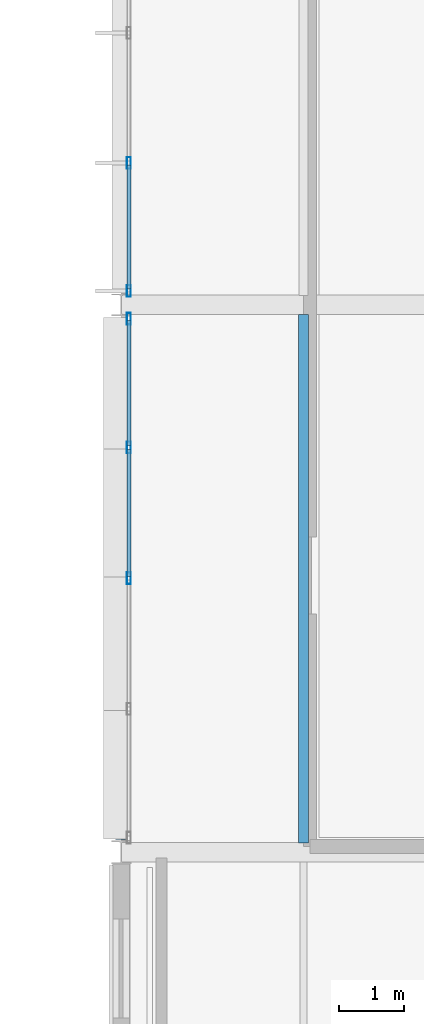
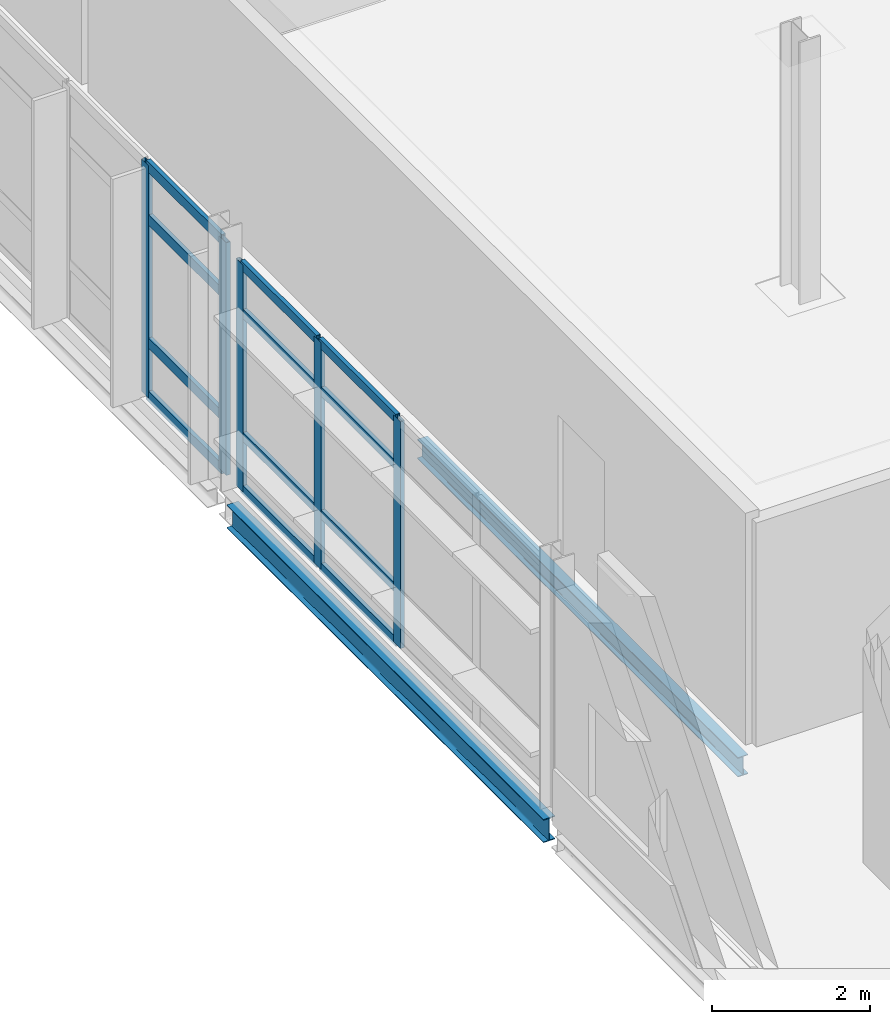
# One storey, part 63 of 131: 17 members, 2 beams, 2 elements without a shape of their own.
"""IFC4 building model written with IfcOpenShell, lengths in metres."""

from ifc_helpers import new_model, si_unit, direction, frame, origin, origin_2d, place, context, subcontext, project, spatial, hollow_rectangle, i_section, extrude, material, material_profile, profile_set, type_object, element, aggregate, save


model = new_model("IFC4")

# Units and contexts
model_context = context("Model", 3, precision=1e-05, world=origin(), true_north=direction((0.0, 1.0)))
body_context = subcontext(model_context, "Body", "Model", "MODEL_VIEW")
ifc_project = project(units=[si_unit("LENGTHUNIT", "METRE"), si_unit("AREAUNIT", "SQUARE_METRE"), si_unit("VOLUMEUNIT", "CUBIC_METRE"), si_unit("PLANEANGLEUNIT", "RADIAN"), si_unit("MASSUNIT", "GRAM", prefix="KILO")], contexts=[model_context])

# Site, building, storey
site_placement = place(None, origin())
site = spatial("IfcSite", under=ifc_project, at=site_placement, CompositionType="ELEMENT")
building_placement = place(site_placement, origin())
building = spatial("IfcBuilding", under=site, at=building_placement, Name="Mersafa Astral City Hall", CompositionType="ELEMENT")
storey_placement = place(building_placement, frame((0.0, 0.0, 13.949951171875)))
storey = spatial("IfcBuildingStorey", under=building, at=storey_placement, Name="L03", CompositionType="ELEMENT", Elevation=13.949951171875)

# Curtain wall, members
ifc_material_1 = material(Name="Anodised bronze aluminium framing", Category="aluminium")
curtain_wall_type_1 = type_object("IfcCurtainWallType", Name="ENV-CW-3", PredefinedType="USERDEFINED", material=ifc_material_1)
curtain_wall_1_placement = place(storey_placement, origin())
curtain_wall_1 = element("IfcCurtainWall", 1, at=curtain_wall_1_placement, inside=storey, type_object=curtain_wall_type_1, Name="L03 Unitised solar curtain wall 182", ObjectType="UNITISED CURTAIN WALL", PredefinedType="USERDEFINED")
ifc_material_profile_1 = material_profile(ifc_material_1, hollow_rectangle(XDim=0.06005859375, YDim=0.179931640625, WallThickness=0.00390625, at=origin_2d()), Name="RHS 60x180x4")
ifc_profile_set_1 = profile_set([ifc_material_profile_1], Name="Anodised bronze aluminium framing")
member_type_1 = type_object("IfcMemberType", Name="ENV-CW-MUL-1", PredefinedType="MULLION", material=ifc_profile_set_1)
member_1_placement = place(storey_placement, frame((100.919921875, 111.377197265625, -0.001953125), z_axis=(0.0, 0.0, 1.0), x_axis=(1.0, 0.0, 0.0)))
member_1 = element("IfcMember", 2, at=member_1_placement, type_object=member_type_1, Name="CW-3 mullion 4", PredefinedType="MULLION", context=body_context, shape_type="SweptSolid", body=[
    extrude(hollow_rectangle(XDim=0.06005859375, YDim=0.179931640625, WallThickness=0.00390625, at=origin_2d()), origin(), (0.0, 0.0, 1.0), 3.593994140625),
])
member_2_placement = place(storey_placement, frame((100.919921875, 109.412109375, -0.001953125), z_axis=(0.0, 0.0, 1.0), x_axis=(1.0, 0.0, 0.0)))
member_2 = element("IfcMember", 3, at=member_2_placement, type_object=member_type_1, Name="CW-3 mullion 5", PredefinedType="MULLION", context=body_context, shape_type="SweptSolid", body=[
    extrude(hollow_rectangle(XDim=0.06005859375, YDim=0.179931640625, WallThickness=0.00390625, at=origin_2d()), origin(), (0.0, 0.0, 1.0), 3.593994140625),
])

curtain_wall_type_2 = type_object("IfcCurtainWallType", Name="ENV-CW-4", PredefinedType="USERDEFINED", material=ifc_material_1)
curtain_wall_2_placement = place(storey_placement, origin())
curtain_wall_2 = element("IfcCurtainWall", 4, at=curtain_wall_2_placement, inside=storey, type_object=curtain_wall_type_2, Name="L03 Unitised solar curtain wall 183", ObjectType="UNITISED CURTAIN WALL", PredefinedType="USERDEFINED")
member_3_placement = place(storey_placement, frame((100.919921875, 108.988037109375, -0.001953125), z_axis=(0.0, 0.0, 1.0), x_axis=(1.0, 0.0, 0.0)))
member_3 = element("IfcMember", 5, at=member_3_placement, type_object=member_type_1, Name="CW-4 mullion 1", PredefinedType="MULLION", context=body_context, shape_type="SweptSolid", body=[
    extrude(hollow_rectangle(XDim=0.06005859375, YDim=0.179931640625, WallThickness=0.00390625, at=origin_2d()), origin(), (0.0, 0.0, 1.0), 3.50390625),
])
member_4_placement = place(storey_placement, frame((100.919921875, 107.011474609375, -0.001953125), z_axis=(0.0, 0.0, 1.0), x_axis=(1.0, 0.0, 0.0)))
member_4 = element("IfcMember", 6, at=member_4_placement, type_object=member_type_1, Name="CW-4 mullion 2", PredefinedType="MULLION", context=body_context, shape_type="SweptSolid", body=[
    extrude(hollow_rectangle(XDim=0.06005859375, YDim=0.179931640625, WallThickness=0.00390625, at=origin_2d()), origin(), (0.0, 0.0, 1.0), 3.50390625),
])
member_5_placement = place(storey_placement, frame((100.919921875, 105.0048828125, -0.001953125), z_axis=(0.0, 0.0, 1.0), x_axis=(1.0, 0.0, 0.0)))
member_5 = element("IfcMember", 7, at=member_5_placement, type_object=member_type_1, Name="CW-4 mullion 3", PredefinedType="MULLION", context=body_context, shape_type="SweptSolid", body=[
    extrude(hollow_rectangle(XDim=0.06005859375, YDim=0.179931640625, WallThickness=0.00390625, at=origin_2d()), origin(), (0.0, 0.0, 1.0), 3.50390625),
])
ifc_material_profile_2 = material_profile(ifc_material_1, hollow_rectangle(XDim=0.06005859375, YDim=0.139892578125, WallThickness=0.00390625, at=origin_2d()), Name="RHS 60x140x4")
ifc_profile_set_2 = profile_set([ifc_material_profile_2], Name="Anodised bronze aluminium framing")
member_type_2 = type_object("IfcMemberType", Name="ENV-CW-TRN-1", PredefinedType="USERDEFINED", material=ifc_profile_set_2)
member_6_placement = place(storey_placement, frame((100.919921875, 108.9580078125, 0.028076171875), z_axis=(0.0, -1.0, 0.0), x_axis=(1.0, 0.0, 0.0)))
member_6 = element("IfcMember", 8, at=member_6_placement, type_object=member_type_2, Name="CW-4 transom 1.1", ObjectType="TRANSOM", PredefinedType="USERDEFINED", context=body_context, shape_type="SweptSolid", body=[
    extrude(hollow_rectangle(XDim=0.06005859375, YDim=0.139892578125, WallThickness=0.00390625, at=origin_2d()), origin(), (0.0, 0.0, 1.0), 1.91650390625),
])
member_7_placement = place(storey_placement, frame((100.919921875, 108.9580078125, 0.85009765625), z_axis=(0.0, -1.0, 0.0), x_axis=(1.0, 0.0, 0.0)))
member_7 = element("IfcMember", 9, at=member_7_placement, type_object=member_type_2, Name="CW-4 transom 1.2", ObjectType="TRANSOM", PredefinedType="USERDEFINED", context=body_context, shape_type="SweptSolid", body=[
    extrude(hollow_rectangle(XDim=0.06005859375, YDim=0.139892578125, WallThickness=0.00390625, at=origin_2d()), origin(), (0.0, 0.0, 1.0), 1.91650390625),
])
member_8_placement = place(storey_placement, frame((100.919921875, 108.9580078125, 2.75), z_axis=(0.0, -1.0, 0.0), x_axis=(1.0, 0.0, 0.0)))
member_8 = element("IfcMember", 10, at=member_8_placement, type_object=member_type_2, Name="CW-4 transom 1.3", ObjectType="TRANSOM", PredefinedType="USERDEFINED", context=body_context, shape_type="SweptSolid", body=[
    extrude(hollow_rectangle(XDim=0.06005859375, YDim=0.139892578125, WallThickness=0.00390625, at=origin_2d()), origin(), (0.0, 0.0, 1.0), 1.91650390625),
])
member_9_placement = place(storey_placement, frame((100.919921875, 108.9580078125, 3.47216796875), z_axis=(0.0, -1.0, 0.0), x_axis=(1.0, 0.0, 0.0)))
member_9 = element("IfcMember", 11, at=member_9_placement, type_object=member_type_2, Name="CW-4 transom 1.4", ObjectType="TRANSOM", PredefinedType="USERDEFINED", context=body_context, shape_type="SweptSolid", body=[
    extrude(hollow_rectangle(XDim=0.06005859375, YDim=0.139892578125, WallThickness=0.00390625, at=origin_2d()), origin(), (0.0, 0.0, 1.0), 1.91650390625),
])
member_10_placement = place(storey_placement, frame((100.919921875, 106.9814453125, 0.028076171875), z_axis=(0.0, -1.0, 0.0), x_axis=(1.0, 0.0, 0.0)))
member_10 = element("IfcMember", 12, at=member_10_placement, type_object=member_type_2, Name="CW-4 transom 2.1", ObjectType="TRANSOM", PredefinedType="USERDEFINED", context=body_context, shape_type="SweptSolid", body=[
    extrude(hollow_rectangle(XDim=0.06005859375, YDim=0.139892578125, WallThickness=0.00390625, at=origin_2d()), origin(), (0.0, 0.0, 1.0), 1.946533203125),
])
member_11_placement = place(storey_placement, frame((100.919921875, 106.9814453125, 0.85009765625), z_axis=(0.0, -1.0, 0.0), x_axis=(1.0, 0.0, 0.0)))
member_11 = element("IfcMember", 13, at=member_11_placement, type_object=member_type_2, Name="CW-4 transom 2.2", ObjectType="TRANSOM", PredefinedType="USERDEFINED", context=body_context, shape_type="SweptSolid", body=[
    extrude(hollow_rectangle(XDim=0.06005859375, YDim=0.139892578125, WallThickness=0.00390625, at=origin_2d()), origin(), (0.0, 0.0, 1.0), 1.946533203125),
])
member_12_placement = place(storey_placement, frame((100.919921875, 106.9814453125, 2.75), z_axis=(0.0, -1.0, 0.0), x_axis=(1.0, 0.0, 0.0)))
member_12 = element("IfcMember", 14, at=member_12_placement, type_object=member_type_2, Name="CW-4 transom 2.3", ObjectType="TRANSOM", PredefinedType="USERDEFINED", context=body_context, shape_type="SweptSolid", body=[
    extrude(hollow_rectangle(XDim=0.06005859375, YDim=0.139892578125, WallThickness=0.00390625, at=origin_2d()), origin(), (0.0, 0.0, 1.0), 1.946533203125),
])
member_13_placement = place(storey_placement, frame((100.919921875, 106.9814453125, 3.47216796875), z_axis=(0.0, -1.0, 0.0), x_axis=(1.0, 0.0, 0.0)))
member_13 = element("IfcMember", 15, at=member_13_placement, type_object=member_type_2, Name="CW-4 transom 2.4", ObjectType="TRANSOM", PredefinedType="USERDEFINED", context=body_context, shape_type="SweptSolid", body=[
    extrude(hollow_rectangle(XDim=0.06005859375, YDim=0.139892578125, WallThickness=0.00390625, at=origin_2d()), origin(), (0.0, 0.0, 1.0), 1.946533203125),
])
aggregate(curtain_wall_2, [member_3, member_4, member_5, member_6, member_7, member_8, member_9, member_10, member_11, member_12, member_13])

# Member
ifc_material_profile_3 = material_profile(ifc_material_1, hollow_rectangle(XDim=0.06005859375, YDim=0.159912109375, WallThickness=0.00390625, at=origin_2d()), Name="RHS 60x160x4")
ifc_profile_set_3 = profile_set([ifc_material_profile_3], Name="Anodised bronze aluminium framing")
member_type_3 = type_object("IfcMemberType", Name="ENV-CW-TRN-2", PredefinedType="USERDEFINED", material=ifc_profile_set_3)
member_14_placement = place(storey_placement, frame((100.919921875, 111.34716796875, 0.028076171875), z_axis=(0.0, -1.0, 0.0), x_axis=(1.0, 0.0, 0.0)))
member_14 = element("IfcMember", 16, at=member_14_placement, type_object=member_type_3, Name="CW-3 transom 4.1", ObjectType="TRANSOM", PredefinedType="USERDEFINED", context=body_context, shape_type="SweptSolid", body=[
    extrude(hollow_rectangle(XDim=0.06005859375, YDim=0.159912109375, WallThickness=0.00390625, at=origin_2d()), origin(), (0.0, 0.0, 1.0), 1.9052734375),
])

member_15_placement = place(storey_placement, frame((100.919921875, 111.34716796875, 0.85009765625), z_axis=(0.0, -1.0, 0.0), x_axis=(1.0, 0.0, 0.0)))
member_15 = element("IfcMember", 17, at=member_15_placement, type_object=member_type_3, Name="CW-3 transom 4.2", ObjectType="TRANSOM", PredefinedType="USERDEFINED", context=body_context, shape_type="SweptSolid", body=[
    extrude(hollow_rectangle(XDim=0.06005859375, YDim=0.159912109375, WallThickness=0.00390625, at=origin_2d()), origin(), (0.0, 0.0, 1.0), 1.9052734375),
])

member_16_placement = place(storey_placement, frame((100.919921875, 111.34716796875, 2.75), z_axis=(0.0, -1.0, 0.0), x_axis=(1.0, 0.0, 0.0)))
member_16 = element("IfcMember", 18, at=member_16_placement, type_object=member_type_3, Name="CW-3 transom 4.3", ObjectType="TRANSOM", PredefinedType="USERDEFINED", context=body_context, shape_type="SweptSolid", body=[
    extrude(hollow_rectangle(XDim=0.06005859375, YDim=0.159912109375, WallThickness=0.00390625, at=origin_2d()), origin(), (0.0, 0.0, 1.0), 1.9052734375),
])

member_17_placement = place(storey_placement, frame((100.919921875, 111.34716796875, 3.56201171875), z_axis=(0.0, -1.0, 0.0), x_axis=(1.0, 0.0, 0.0)))
member_17 = element("IfcMember", 19, at=member_17_placement, type_object=member_type_3, Name="CW-3 transom 4.4", ObjectType="TRANSOM", PredefinedType="USERDEFINED", context=body_context, shape_type="SweptSolid", body=[
    extrude(hollow_rectangle(XDim=0.06005859375, YDim=0.159912109375, WallThickness=0.00390625, at=origin_2d()), origin(), (0.0, 0.0, 1.0), 1.9052734375),
])

aggregate(curtain_wall_1, [member_1, member_2, member_14, member_15, member_16, member_17])

# Beams
ifc_material_2 = material(Name="Steel S355", Category="steel")
ifc_material_profile_4 = material_profile(ifc_material_2, i_section(OverallWidth=0.14990234375, OverallDepth=0.300048828125, WebThickness=0.007080078125, FlangeThickness=0.0107421875, FilletRadius=0.014892578125, at=origin_2d()), Name="IPE 300")
ifc_profile_set_4 = profile_set([ifc_material_profile_4], Name="Steel S355")
beam_type_1 = type_object("IfcBeamType", Name="STR-BM-JOIST-IPE300", PredefinedType="JOIST", material=ifc_profile_set_4)
beam_1_placement = place(storey_placement, frame((103.60009765625, 100.945068359375, -0.349853515625), z_axis=(0.0, 1.0, 0.0), x_axis=(-1.0, 0.0, 0.0)))
element("IfcBeam", 20, at=beam_1_placement, inside=storey, type_object=beam_type_1, Name="L03 Composite secondary floor joist 600", PredefinedType="JOIST", context=body_context, shape_type="SweptSolid", body=[
    extrude(i_section(OverallWidth=0.14990234375, OverallDepth=0.300048828125, WebThickness=0.007080078125, FlangeThickness=0.0107421875, FilletRadius=0.014892578125, at=origin_2d()), origin(), (0.0, 0.0, 1.0), 8.10986328125),
])
ifc_material_profile_5 = material_profile(ifc_material_2, i_section(OverallWidth=0.169921875, OverallDepth=0.360107421875, WebThickness=0.008056640625, FlangeThickness=0.0126953125, FilletRadius=0.01806640625, at=origin_2d()), Name="IPE 360")
ifc_profile_set_5 = profile_set([ifc_material_profile_5], Name="Steel S355")
beam_type_2 = type_object("IfcBeamType", Name="STR-BM-SPANDREL-IPE360", PredefinedType="SPANDREL", material=ifc_profile_set_5)
beam_2_placement = place(storey_placement, frame((100.800048828125, 100.9951171875, -0.3798828125), z_axis=(0.0, 1.0, 0.0), x_axis=(-1.0, 0.0, 0.0)))
element("IfcBeam", 21, at=beam_2_placement, inside=storey, type_object=beam_type_2, Name="L03 Primary girder Y 12-12", PredefinedType="SPANDREL", context=body_context, shape_type="SweptSolid", body=[
    extrude(i_section(OverallWidth=0.169921875, OverallDepth=0.360107421875, WebThickness=0.008056640625, FlangeThickness=0.0126953125, FilletRadius=0.01806640625, at=origin_2d()), origin(), (0.0, 0.0, 1.0), 8.009765625),
])

save(model, "model.ifc")
